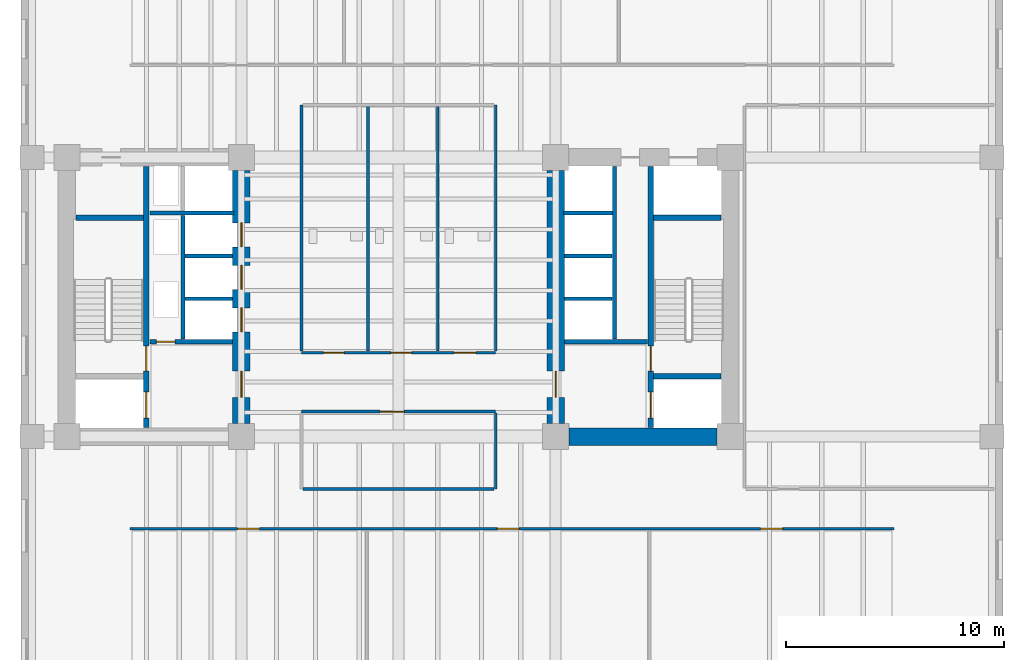
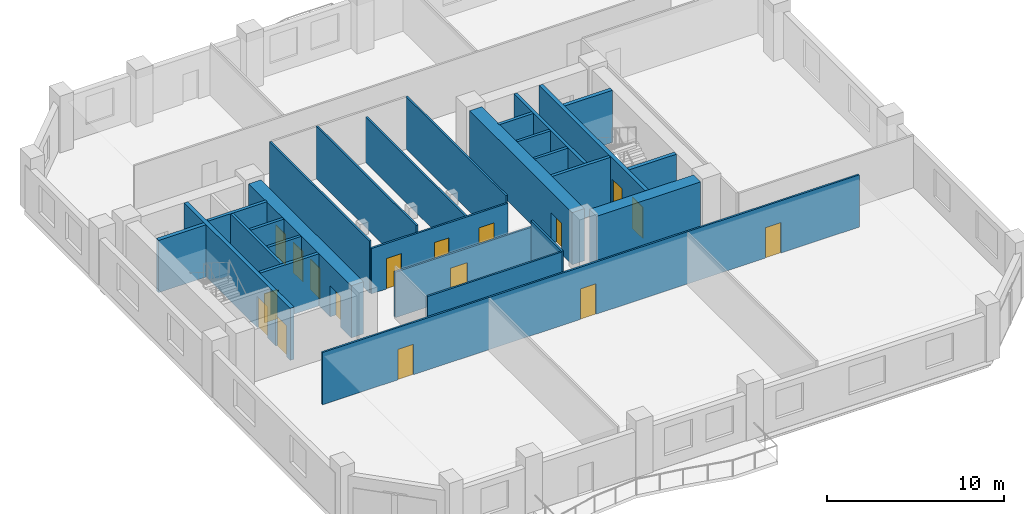
# One storey, part 3 of 9: 27 walls, 17 doors, 17 openings.
"""IFC4 building model written with IfcOpenShell, lengths in metres."""

from ifc_helpers import new_model, si_unit, direction, frame, frame_2d, origin, place, context, subcontext, project, spatial, rectangle, extrude, material, layer, layer_set, type_object, element, fill, save


model = new_model("IFC4")

# Units and contexts
model_context = context("Model", 3, precision=1e-05, world=origin(), true_north=direction((0.0, 1.0)))
body_context = subcontext(model_context, "Body", "Model", "MODEL_VIEW")
ifc_project = project(units=[si_unit("LENGTHUNIT", "METRE"), si_unit("AREAUNIT", "SQUARE_METRE"), si_unit("VOLUMEUNIT", "CUBIC_METRE"), si_unit("PLANEANGLEUNIT", "RADIAN"), si_unit("MASSUNIT", "GRAM", prefix="KILO")], contexts=[model_context])

# Site, building, storey
site_placement = place(None, origin())
site = spatial("IfcSite", under=ifc_project, at=site_placement, CompositionType="ELEMENT")
building_placement = place(site_placement, origin())
building = spatial("IfcBuilding", under=site, at=building_placement, Name="Kranthara Brick Stack", CompositionType="ELEMENT")
storey_placement = place(building_placement, frame((0.0, 0.0, 55.5)))
storey = spatial("IfcBuildingStorey", under=building, at=storey_placement, Name="L13", CompositionType="ELEMENT", Elevation=55.5)

# Wall, openings, doors
ifc_material_1 = material(Name="Concrete C50/60", Category="concrete")
ifc_layer_1 = layer(ifc_material_1, 0.25)
ifc_layer_set_1 = layer_set([ifc_layer_1], Name="Concrete C50/60")
wall_type_1 = type_object("IfcWallType", Name="WL-CORE-250", PredefinedType="SHEAR", material=ifc_layer_set_1)
wall_1_placement = place(storey_placement, frame((16.43505859375, 21.2099609375, 0.0), z_axis=(0.0, 0.0, 1.0), x_axis=(0.0, 1.0, 0.0)))
wall_1 = element("IfcWall", 1, at=wall_1_placement, inside=storey, type_object=wall_type_1, Name="L13 West Core Stair Bearing Spine Wall", PredefinedType="SHEAR", context=body_context, shape_type="SweptSolid", body=[
    extrude(rectangle(XDim=11.97998046875, YDim=0.25, at=frame_2d((5.989990234375, 0.0))), origin(), (0.0, 0.0, 1.0), 3.60009765625),
])
opening_1_placement = place(wall_1_placement, frame((0.43994140625, 0.0, 0.0)))
opening_1 = element("IfcOpeningElement", 2, at=opening_1_placement, cuts=wall_1, Name="Opening LD01", PredefinedType="OPENING", context=body_context, shape_type="SweptSolid", body=[
    extrude(rectangle(XDim=1.199951171875, YDim=2.14990234375, at=frame_2d((0.60009765625, 1.074951171875))), frame((0.0, 0.135009765625, 0.0), z_axis=(0.0, -1.0, 0.0), x_axis=(1.0, 0.0, 0.0)), (0.0, 0.0, 1.0), 0.27001953125),
])
opening_2_placement = place(wall_1_placement, frame((2.590087890625, 0.0, 0.0)))
opening_2 = element("IfcOpeningElement", 3, at=opening_2_placement, cuts=wall_1, Name="Opening D05", PredefinedType="OPENING", context=body_context, shape_type="SweptSolid", body=[
    extrude(rectangle(XDim=1.14990234375, YDim=2.14990234375, at=frame_2d((0.574951171875, 1.074951171875))), frame((0.0, 0.135009765625, 0.0), z_axis=(0.0, -1.0, 0.0), x_axis=(1.0, 0.0, 0.0)), (0.0, 0.0, 1.0), 0.27001953125),
])
ifc_material_2 = material(Name="Stainless steel sliding landing door", Category="steel")
door_type_1 = type_object("IfcDoorType", Name="DR-LD-FF1200", OperationType="DOUBLE_DOOR_SLIDING", PredefinedType="DOOR", material=ifc_material_2)
door_1_placement = place(opening_1_placement, origin())
door_1 = element("IfcDoor", 4, at=door_1_placement, inside=storey, type_object=door_type_1, Name="L13 Firefighting Lift FF-01 Landing Door", OperationType="DOUBLE_DOOR_SLIDING", OverallHeight=2.14990234375, OverallWidth=1.199951171875, PredefinedType="DOOR", context=body_context, shape_type="SweptSolid", body=[
    extrude(rectangle(XDim=1.199951171875, YDim=2.14990234375, at=frame_2d((0.60009765625, 1.074951171875))), frame((0.0, 0.02490234375, 0.0), z_axis=(0.0, -1.0, 0.0), x_axis=(1.0, 0.0, 0.0)), (0.0, 0.0, 1.0), 0.050048828125),
])
fill(opening_1, door_1)
ifc_material_3 = material(Name="Solid-core hardwood timber leaf in steel frame", Category="steel")
door_type_2 = type_object("IfcDoorType", Name="DR-ST-1150", OperationType="NOTDEFINED", PredefinedType="DOOR", material=ifc_material_3)
door_2_placement = place(opening_2_placement, origin())
door_2 = element("IfcDoor", 5, at=door_2_placement, inside=storey, type_object=door_type_2, Name="L13 Exit Stair ST01 Door", OperationType="SINGLE_SWING_RIGHT", OverallHeight=2.14990234375, OverallWidth=1.14990234375, PredefinedType="DOOR", context=body_context, shape_type="SweptSolid", body=[
    extrude(rectangle(XDim=1.14990234375, YDim=2.14990234375, at=frame_2d((0.574951171875, 1.074951171875))), frame((0.0, 0.02490234375, 0.0), z_axis=(0.0, -1.0, 0.0), x_axis=(1.0, 0.0, 0.0)), (0.0, 0.0, 1.0), 0.050048828125),
])
fill(opening_2, door_2)

# Wall
wall_2_placement = place(storey_placement, frame((13.2099609375, 30.830078125, 0.0), z_axis=(0.0, 0.0, 1.0), x_axis=(1.0, 0.0, 0.0)))
element("IfcWall", 6, at=wall_2_placement, inside=storey, type_object=wall_type_1, Name="L13 West Stairwell Bearing Wall WST", PredefinedType="SHEAR", context=body_context, shape_type="SweptSolid", body=[
    extrude(rectangle(XDim=3.10009765625, YDim=0.25, at=frame_2d((1.550048828125, 0.0))), origin(), (0.0, 0.0, 1.0), 3.60009765625),
])

# Wall, openings, doors
wall_3_placement = place(storey_placement, frame((39.56494140625, 21.2099609375, 0.0), z_axis=(0.0, 0.0, 1.0), x_axis=(0.0, 1.0, 0.0)))
wall_3 = element("IfcWall", 7, at=wall_3_placement, inside=storey, type_object=wall_type_1, Name="L13 East Core Stair Bearing Spine Wall", PredefinedType="SHEAR", context=body_context, shape_type="SweptSolid", body=[
    extrude(rectangle(XDim=11.97998046875, YDim=0.25, at=frame_2d((5.989990234375, 0.0))), origin(), (0.0, 0.0, 1.0), 3.60009765625),
])
opening_3_placement = place(wall_3_placement, frame((0.43994140625, 0.0, 0.0)))
opening_3 = element("IfcOpeningElement", 8, at=opening_3_placement, cuts=wall_3, Name="Opening LD01", PredefinedType="OPENING", context=body_context, shape_type="SweptSolid", body=[
    extrude(rectangle(XDim=1.199951171875, YDim=2.14990234375, at=frame_2d((0.60009765625, 1.074951171875))), frame((0.0, 0.135009765625, 0.0), z_axis=(0.0, -1.0, 0.0), x_axis=(1.0, 0.0, 0.0)), (0.0, 0.0, 1.0), 0.27001953125),
])
opening_4_placement = place(wall_3_placement, frame((2.590087890625, 0.0, 0.0)))
opening_4 = element("IfcOpeningElement", 9, at=opening_4_placement, cuts=wall_3, Name="Opening D05", PredefinedType="OPENING", context=body_context, shape_type="SweptSolid", body=[
    extrude(rectangle(XDim=1.14990234375, YDim=2.14990234375, at=frame_2d((0.574951171875, 1.074951171875))), frame((0.0, 0.135009765625, 0.0), z_axis=(0.0, -1.0, 0.0), x_axis=(1.0, 0.0, 0.0)), (0.0, 0.0, 1.0), 0.27001953125),
])
door_3_placement = place(opening_3_placement, origin())
door_3 = element("IfcDoor", 10, at=door_3_placement, inside=storey, type_object=door_type_1, Name="L13 Firefighting Lift FF-02 Landing Door", OperationType="DOUBLE_DOOR_SLIDING", OverallHeight=2.14990234375, OverallWidth=1.199951171875, PredefinedType="DOOR", context=body_context, shape_type="SweptSolid", body=[
    extrude(rectangle(XDim=1.199951171875, YDim=2.14990234375, at=frame_2d((0.60009765625, 1.074951171875))), frame((0.0, 0.02490234375, 0.0), z_axis=(0.0, -1.0, 0.0), x_axis=(1.0, 0.0, 0.0)), (0.0, 0.0, 1.0), 0.050048828125),
])
fill(opening_3, door_3)
door_4_placement = place(opening_4_placement, origin())
door_4 = element("IfcDoor", 11, at=door_4_placement, inside=storey, type_object=door_type_2, Name="L13 Exit Stair ST02 Door", OperationType="SINGLE_SWING_LEFT", OverallHeight=2.14990234375, OverallWidth=1.14990234375, PredefinedType="DOOR", context=body_context, shape_type="SweptSolid", body=[
    extrude(rectangle(XDim=1.14990234375, YDim=2.14990234375, at=frame_2d((0.574951171875, 1.074951171875))), frame((0.0, 0.02490234375, 0.0), z_axis=(0.0, -1.0, 0.0), x_axis=(1.0, 0.0, 0.0)), (0.0, 0.0, 1.0), 0.050048828125),
])
fill(opening_4, door_4)

# Walls
for number, where, z_axis, x_axis, name in (
    (12, (39.68994140625, 23.570068359375, 0.0), (0.0, 0.0, 1.0), (1.0, 0.0, 0.0), "L13 East Stairwell Bearing Wall EFF"),
    (13, (39.68994140625, 30.830078125, 0.0), (0.0, 0.0, 1.0), (1.0, 0.0, 0.0), "L13 East Stairwell Bearing Wall EST"),
):
    element("IfcWall", number, at=place(storey_placement, frame(where, z_axis=z_axis, x_axis=x_axis)), inside=storey, type_object=wall_type_1, Name=name, PredefinedType="SHEAR", context=body_context, shape_type="SweptSolid", body=[
        extrude(rectangle(XDim=3.10009765625, YDim=0.25, at=frame_2d((1.550048828125, 0.0))), origin(), (0.0, 0.0, 1.0), 3.60009765625),
    ])

# Wall, openings, doors
ifc_material_4 = material(Name="Concrete C70/85", Category="concrete")
ifc_layer_2 = layer(ifc_material_4, 0.800048828125)
ifc_layer_set_2 = layer_set([ifc_layer_2], Name="Concrete C70/85")
wall_type_2 = type_object("IfcWallType", Name="WL-CORE-800", PredefinedType="SHEAR", material=ifc_layer_set_2)
wall_4_placement = place(storey_placement, frame((20.800048828125, 21.405029296875, 0.0), z_axis=(0.0, 0.0, 1.0), x_axis=(0.0, 1.0, 0.0)))
wall_4 = element("IfcWall", 14, at=wall_4_placement, inside=storey, type_object=wall_type_2, Name="L13 West Core Shear Wall East", PredefinedType="SHEAR", context=body_context, shape_type="SweptSolid", body=[
    extrude(rectangle(XDim=11.590087890625, YDim=0.800048828125, at=frame_2d((5.794921875, 0.0))), origin(), (0.0, 0.0, 1.0), 3.60009765625),
])
opening_5_placement = place(wall_4_placement, frame((1.195068359375, 0.0, 0.0)))
opening_5 = element("IfcOpeningElement", 15, at=opening_5_placement, cuts=wall_4, Name="Opening D06", PredefinedType="OPENING", context=body_context, shape_type="SweptSolid", body=[
    extrude(rectangle(XDim=1.199951171875, YDim=2.14990234375, at=frame_2d((0.60009765625, 1.074951171875))), frame((0.0, 0.409912109375, 0.0), z_axis=(0.0, -1.0, 0.0), x_axis=(1.0, 0.0, 0.0)), (0.0, 0.0, 1.0), 0.820068359375),
])
opening_6_placement = place(wall_4_placement, frame((4.195068359375, 0.0, 0.0)))
opening_6 = element("IfcOpeningElement", 16, at=opening_6_placement, cuts=wall_4, Name="Opening LD02", PredefinedType="OPENING", context=body_context, shape_type="SweptSolid", body=[
    extrude(rectangle(XDim=1.10009765625, YDim=2.10009765625, at=frame_2d((0.550048828125, 1.050048828125))), frame((0.0, 0.409912109375, 0.0), z_axis=(0.0, -1.0, 0.0), x_axis=(1.0, 0.0, 0.0)), (0.0, 0.0, 1.0), 0.820068359375),
])
opening_7_placement = place(wall_4_placement, frame((6.14501953125, 0.0, 0.0)))
opening_7 = element("IfcOpeningElement", 17, at=opening_7_placement, cuts=wall_4, Name="Opening LD02", PredefinedType="OPENING", context=body_context, shape_type="SweptSolid", body=[
    extrude(rectangle(XDim=1.10009765625, YDim=2.10009765625, at=frame_2d((0.550048828125, 1.050048828125))), frame((0.0, 0.409912109375, 0.0), z_axis=(0.0, -1.0, 0.0), x_axis=(1.0, 0.0, 0.0)), (0.0, 0.0, 1.0), 0.820068359375),
])
opening_8_placement = place(wall_4_placement, frame((8.094970703125, 0.0, 0.0)))
opening_8 = element("IfcOpeningElement", 18, at=opening_8_placement, cuts=wall_4, Name="Opening LD02", PredefinedType="OPENING", context=body_context, shape_type="SweptSolid", body=[
    extrude(rectangle(XDim=1.10009765625, YDim=2.10009765625, at=frame_2d((0.550048828125, 1.050048828125))), frame((0.0, 0.409912109375, 0.0), z_axis=(0.0, -1.0, 0.0), x_axis=(1.0, 0.0, 0.0)), (0.0, 0.0, 1.0), 0.820068359375),
])
ifc_material_5 = material(Name="Solid-core hardwood timber leaf in steel frame", Category="steel")
door_type_3 = type_object("IfcDoorType", Name="DR-FFL-1200", OperationType="NOTDEFINED", PredefinedType="DOOR", material=ifc_material_5)
door_5_placement = place(opening_5_placement, origin())
door_5 = element("IfcDoor", 19, at=door_5_placement, inside=storey, type_object=door_type_3, Name="L13 West Firefighting Lobby Door", OperationType="SINGLE_SWING_LEFT", OverallHeight=2.14990234375, OverallWidth=1.199951171875, PredefinedType="DOOR", context=body_context, shape_type="SweptSolid", body=[
    extrude(rectangle(XDim=1.199951171875, YDim=2.14990234375, at=frame_2d((0.60009765625, 1.074951171875))), frame((0.0, 0.02490234375, 0.0), z_axis=(0.0, -1.0, 0.0), x_axis=(1.0, 0.0, 0.0)), (0.0, 0.0, 1.0), 0.050048828125),
])
fill(opening_5, door_5)
ifc_material_6 = material(Name="Stainless steel sliding landing door", Category="steel")
door_type_4 = type_object("IfcDoorType", Name="DR-LD-PL1100", OperationType="DOUBLE_DOOR_SLIDING", PredefinedType="DOOR", material=ifc_material_6)
door_6_placement = place(opening_6_placement, origin())
door_6 = element("IfcDoor", 20, at=door_6_placement, inside=storey, type_object=door_type_4, Name="L13 PL-01 Lift Landing Door", OperationType="DOUBLE_DOOR_SLIDING", OverallHeight=2.10009765625, OverallWidth=1.10009765625, PredefinedType="DOOR", context=body_context, shape_type="SweptSolid", body=[
    extrude(rectangle(XDim=1.10009765625, YDim=2.10009765625, at=frame_2d((0.550048828125, 1.050048828125))), frame((0.0, 0.02490234375, 0.0), z_axis=(0.0, -1.0, 0.0), x_axis=(1.0, 0.0, 0.0)), (0.0, 0.0, 1.0), 0.050048828125),
])
fill(opening_6, door_6)
door_7_placement = place(opening_7_placement, origin())
door_7 = element("IfcDoor", 21, at=door_7_placement, inside=storey, type_object=door_type_4, Name="L13 PL-02 Lift Landing Door", OperationType="DOUBLE_DOOR_SLIDING", OverallHeight=2.10009765625, OverallWidth=1.10009765625, PredefinedType="DOOR", context=body_context, shape_type="SweptSolid", body=[
    extrude(rectangle(XDim=1.10009765625, YDim=2.10009765625, at=frame_2d((0.550048828125, 1.050048828125))), frame((0.0, 0.02490234375, 0.0), z_axis=(0.0, -1.0, 0.0), x_axis=(1.0, 0.0, 0.0)), (0.0, 0.0, 1.0), 0.050048828125),
])
fill(opening_7, door_7)
door_8_placement = place(opening_8_placement, origin())
door_8 = element("IfcDoor", 22, at=door_8_placement, inside=storey, type_object=door_type_4, Name="L13 PL-03 Lift Landing Door", OperationType="DOUBLE_DOOR_SLIDING", OverallHeight=2.10009765625, OverallWidth=1.10009765625, PredefinedType="DOOR", context=body_context, shape_type="SweptSolid", body=[
    extrude(rectangle(XDim=1.10009765625, YDim=2.10009765625, at=frame_2d((0.550048828125, 1.050048828125))), frame((0.0, 0.02490234375, 0.0), z_axis=(0.0, -1.0, 0.0), x_axis=(1.0, 0.0, 0.0)), (0.0, 0.0, 1.0), 0.050048828125),
])
fill(opening_8, door_8)

# Wall
wall_5_placement = place(storey_placement, frame((35.804931640625, 20.800048828125, 0.0), z_axis=(0.0, 0.0, 1.0), x_axis=(1.0, 0.0, 0.0)))
element("IfcWall", 23, at=wall_5_placement, inside=storey, type_object=wall_type_2, Name="L13 East Core Shear Wall South", PredefinedType="SHEAR", context=body_context, shape_type="SweptSolid", body=[
    extrude(rectangle(XDim=6.7900390625, YDim=0.800048828125, at=frame_2d((3.39501953125, 0.0))), origin(), (0.0, 0.0, 1.0), 3.60009765625),
])

# Wall, opening, door
wall_6_placement = place(storey_placement, frame((35.199951171875, 21.405029296875, 0.0), z_axis=(0.0, 0.0, 1.0), x_axis=(0.0, 1.0, 0.0)))
wall_6 = element("IfcWall", 24, at=wall_6_placement, inside=storey, type_object=wall_type_2, Name="L13 East Core Shear Wall West", PredefinedType="SHEAR", context=body_context, shape_type="SweptSolid", body=[
    extrude(rectangle(XDim=11.590087890625, YDim=0.800048828125, at=frame_2d((5.794921875, 0.0))), origin(), (0.0, 0.0, 1.0), 3.60009765625),
])
opening_9_placement = place(wall_6_placement, frame((1.195068359375, 0.0, 0.0)))
opening_9 = element("IfcOpeningElement", 25, at=opening_9_placement, cuts=wall_6, Name="Opening D06", PredefinedType="OPENING", context=body_context, shape_type="SweptSolid", body=[
    extrude(rectangle(XDim=1.199951171875, YDim=2.14990234375, at=frame_2d((0.60009765625, 1.074951171875))), frame((0.0, 0.409912109375, 0.0), z_axis=(0.0, -1.0, 0.0), x_axis=(1.0, 0.0, 0.0)), (0.0, 0.0, 1.0), 0.820068359375),
])
door_9_placement = place(opening_9_placement, origin())
door_9 = element("IfcDoor", 26, at=door_9_placement, inside=storey, type_object=door_type_3, Name="L13 East Firefighting Lobby Door", OperationType="SINGLE_SWING_RIGHT", OverallHeight=2.14990234375, OverallWidth=1.199951171875, PredefinedType="DOOR", context=body_context, shape_type="SweptSolid", body=[
    extrude(rectangle(XDim=1.199951171875, YDim=2.14990234375, at=frame_2d((0.60009765625, 1.074951171875))), frame((0.0, 0.02490234375, 0.0), z_axis=(0.0, -1.0, 0.0), x_axis=(1.0, 0.0, 0.0)), (0.0, 0.0, 1.0), 0.050048828125),
])
fill(opening_9, door_9)

# Wall, openings, doors
ifc_material_7 = material(Name="Acoustic gypsum plasterboard partition", Category="other")
ifc_layer_3 = layer(ifc_material_7, 0.1201171875)
ifc_layer_set_3 = layer_set([ifc_layer_3], Name="Acoustic gypsum plasterboard partition")
wall_type_3 = type_object("IfcWallType", Name="WL-PART-120", PredefinedType="PARTITIONING", material=ifc_layer_set_3)
wall_7_placement = place(storey_placement, frame((23.550048828125, 24.64990234375, 0.0), z_axis=(0.0, 0.0, 1.0), x_axis=(1.0, 0.0, 0.0)))
wall_7 = element("IfcWall", 27, at=wall_7_placement, inside=storey, type_object=wall_type_3, Name="L13 Interior Partition 001", PredefinedType="PARTITIONING", context=body_context, shape_type="SweptSolid", body=[
    extrude(rectangle(XDim=8.89990234375, YDim=0.1201171875, at=frame_2d((4.449951171875, 0.0))), origin(), (0.0, 0.0, 1.0), 3.135009765625),
])
opening_10_placement = place(wall_7_placement, frame((1.0, 0.0, 0.0)))
opening_10 = element("IfcOpeningElement", 28, at=opening_10_placement, cuts=wall_7, Name="Opening D14", PredefinedType="OPENING", context=body_context, shape_type="SweptSolid", body=[
    extrude(rectangle(XDim=0.949951171875, YDim=2.10009765625, at=frame_2d((0.47509765625, 1.050048828125))), frame((0.0, 0.070068359375, 0.0), z_axis=(0.0, -1.0, 0.0), x_axis=(1.0, 0.0, 0.0)), (0.0, 0.0, 1.0), 0.14013671875),
])
opening_11_placement = place(wall_7_placement, frame((4.10009765625, 0.0, 0.0)))
opening_11 = element("IfcOpeningElement", 29, at=opening_11_placement, cuts=wall_7, Name="Opening D14", PredefinedType="OPENING", context=body_context, shape_type="SweptSolid", body=[
    extrude(rectangle(XDim=0.949951171875, YDim=2.10009765625, at=frame_2d((0.47509765625, 1.050048828125))), frame((0.0, 0.070068359375, 0.0), z_axis=(0.0, -1.0, 0.0), x_axis=(1.0, 0.0, 0.0)), (0.0, 0.0, 1.0), 0.14013671875),
])
opening_12_placement = place(wall_7_placement, frame((7.0, 0.0, 0.0)))
opening_12 = element("IfcOpeningElement", 30, at=opening_12_placement, cuts=wall_7, Name="Opening D18", PredefinedType="OPENING", context=body_context, shape_type="SweptSolid", body=[
    extrude(rectangle(XDim=1.0, YDim=2.10009765625, at=frame_2d((0.5, 1.050048828125))), frame((0.0, 0.070068359375, 0.0), z_axis=(0.0, -1.0, 0.0), x_axis=(1.0, 0.0, 0.0)), (0.0, 0.0, 1.0), 0.14013671875),
])
ifc_material_8 = material(Name="Solid-core hardwood timber leaf in steel frame", Category="steel")
door_type_5 = type_object("IfcDoorType", Name="DR-ACC-1000", OperationType="NOTDEFINED", PredefinedType="DOOR", material=ifc_material_8)
door_10_placement = place(opening_12_placement, origin())
door_10 = element("IfcDoor", 31, at=door_10_placement, inside=storey, type_object=door_type_5, Name="L13 Accessible WC Door 03", OperationType="SINGLE_SWING_LEFT", OverallHeight=2.10009765625, OverallWidth=1.0, PredefinedType="DOOR", context=body_context, shape_type="SweptSolid", body=[
    extrude(rectangle(XDim=1.0, YDim=2.10009765625, at=frame_2d((0.5, 1.050048828125))), frame((0.0, 0.02490234375, 0.0), z_axis=(0.0, -1.0, 0.0), x_axis=(1.0, 0.0, 0.0)), (0.0, 0.0, 1.0), 0.050048828125),
])
fill(opening_12, door_10)
ifc_material_9 = material(Name="Solid-core hardwood timber leaf in steel frame", Category="steel")
door_type_6 = type_object("IfcDoorType", Name="DR-INT-950", OperationType="NOTDEFINED", PredefinedType="DOOR", material=ifc_material_9)
door_11_placement = place(opening_10_placement, origin())
door_11 = element("IfcDoor", 32, at=door_11_placement, inside=storey, type_object=door_type_6, Name="L13 Male WC Door 01", OperationType="SINGLE_SWING_LEFT", OverallHeight=2.10009765625, OverallWidth=0.949951171875, PredefinedType="DOOR", context=body_context, shape_type="SweptSolid", body=[
    extrude(rectangle(XDim=0.949951171875, YDim=2.10009765625, at=frame_2d((0.47509765625, 1.050048828125))), frame((0.0, 0.02490234375, 0.0), z_axis=(0.0, -1.0, 0.0), x_axis=(1.0, 0.0, 0.0)), (0.0, 0.0, 1.0), 0.050048828125),
])
fill(opening_10, door_11)
door_12_placement = place(opening_11_placement, origin())
door_12 = element("IfcDoor", 33, at=door_12_placement, inside=storey, type_object=door_type_6, Name="L13 Female WC Door 02", OperationType="SINGLE_SWING_RIGHT", OverallHeight=2.10009765625, OverallWidth=0.949951171875, PredefinedType="DOOR", context=body_context, shape_type="SweptSolid", body=[
    extrude(rectangle(XDim=0.949951171875, YDim=2.10009765625, at=frame_2d((0.47509765625, 1.050048828125))), frame((0.0, 0.02490234375, 0.0), z_axis=(0.0, -1.0, 0.0), x_axis=(1.0, 0.0, 0.0)), (0.0, 0.0, 1.0), 0.050048828125),
])
fill(opening_11, door_12)

# Walls
for number, where, z_axis, x_axis, name in (
    (34, (23.550048828125, 24.715087890625, 0.0), (0.0, 0.0, 1.0), (0.0, 1.0, 0.0), "L13 Interior Partition 002"),
    (35, (32.449951171875, 24.715087890625, 0.0), (0.0, 0.0, 1.0), (0.0, 1.0, 0.0), "L13 Interior Partition 003"),
    (36, (26.60009765625, 24.715087890625, 0.0), (0.0, 0.0, 1.0), (0.0, 1.0, 0.0), "L13 Interior Partition 004"),
):
    element("IfcWall", number, at=place(storey_placement, frame(where, z_axis=z_axis, x_axis=x_axis)), inside=storey, type_object=wall_type_3, Name=name, PredefinedType="PARTITIONING", context=body_context, shape_type="SweptSolid", body=[
        extrude(rectangle(XDim=11.284912109375, YDim=0.1201171875, at=frame_2d((5.642578125, 0.0))), origin(), (0.0, 0.0, 1.0), 3.60009765625),
    ])
wall_8_placement = place(storey_placement, frame((29.800048828125, 24.715087890625, 0.0), z_axis=(0.0, 0.0, 1.0), x_axis=(0.0, 1.0, 0.0)))
element("IfcWall", 37, at=wall_8_placement, inside=storey, type_object=wall_type_3, Name="L13 Interior Partition 005", PredefinedType="PARTITIONING", context=body_context, shape_type="SweptSolid", body=[
    extrude(rectangle(XDim=11.284912109375, YDim=0.1201171875, at=frame_2d((5.642578125, 0.0))), origin(), (0.0, 0.0, 1.0), 3.135009765625),
])

# Wall, opening, door
wall_9_placement = place(storey_placement, frame((23.550048828125, 21.949951171875, 0.0), z_axis=(0.0, 0.0, 1.0), x_axis=(1.0, 0.0, 0.0)))
wall_9 = element("IfcWall", 38, at=wall_9_placement, inside=storey, type_object=wall_type_3, Name="L13 Interior Partition 007", PredefinedType="PARTITIONING", context=body_context, shape_type="SweptSolid", body=[
    extrude(rectangle(XDim=8.89990234375, YDim=0.1201171875, at=frame_2d((4.449951171875, 0.0))), origin(), (0.0, 0.0, 1.0), 3.135009765625),
])
opening_13_placement = place(wall_9_placement, frame((3.60009765625, 0.0, 0.0)))
opening_13 = element("IfcOpeningElement", 39, at=opening_13_placement, cuts=wall_9, Name="Opening D11", PredefinedType="OPENING", context=body_context, shape_type="SweptSolid", body=[
    extrude(rectangle(XDim=1.10009765625, YDim=2.14990234375, at=frame_2d((0.550048828125, 1.074951171875))), frame((0.0, 0.070068359375, 0.0), z_axis=(0.0, -1.0, 0.0), x_axis=(1.0, 0.0, 0.0)), (0.0, 0.0, 1.0), 0.14013671875),
])
ifc_material_10 = material(Name="Solid-core hardwood timber leaf in steel frame", Category="steel")
door_type_7 = type_object("IfcDoorType", Name="DR-INT-1100", OperationType="NOTDEFINED", PredefinedType="DOOR", material=ifc_material_10)
door_13_placement = place(opening_13_placement, origin())
door_13 = element("IfcDoor", 40, at=door_13_placement, inside=storey, type_object=door_type_7, Name="L13 Internal Briefing Room 04", OperationType="SINGLE_SWING_RIGHT", OverallHeight=2.14990234375, OverallWidth=1.10009765625, PredefinedType="DOOR", context=body_context, shape_type="SweptSolid", body=[
    extrude(rectangle(XDim=1.10009765625, YDim=2.14990234375, at=frame_2d((0.550048828125, 1.074951171875))), frame((0.0, 0.02490234375, 0.0), z_axis=(0.0, -1.0, 0.0), x_axis=(1.0, 0.0, 0.0)), (0.0, 0.0, 1.0), 0.050048828125),
])
fill(opening_13, door_13)

# Walls
wall_10_placement = place(storey_placement, frame((32.449951171875, 18.39990234375, 0.0), z_axis=(0.0, 0.0, 1.0), x_axis=(0.0, 1.0, 0.0)))
element("IfcWall", 41, at=wall_10_placement, inside=storey, type_object=wall_type_3, Name="L13 Interior Partition 009", PredefinedType="PARTITIONING", context=body_context, shape_type="SweptSolid", body=[
    extrude(rectangle(XDim=3.485107421875, YDim=0.1201171875, at=frame_2d((1.74267578125, 0.0))), origin(), (0.0, 0.0, 1.0), 3.60009765625),
])
wall_11_placement = place(storey_placement, frame((23.614990234375, 18.39990234375, 0.0), z_axis=(0.0, 0.0, 1.0), x_axis=(1.0, 0.0, 0.0)))
element("IfcWall", 42, at=wall_11_placement, inside=storey, type_object=wall_type_3, Name="L13 Interior Partition 010", PredefinedType="PARTITIONING", context=body_context, shape_type="SweptSolid", body=[
    extrude(rectangle(XDim=8.77001953125, YDim=0.1201171875, at=frame_2d((4.385009765625, 0.0))), origin(), (0.0, 0.0, 1.0), 3.60009765625),
])

# Wall, openings, doors
wall_12_placement = place(storey_placement, frame((15.699951171875, 16.580078125, 0.0), z_axis=(0.0, 0.0, 1.0), x_axis=(1.0, 0.0, 0.0)))
wall_12 = element("IfcWall", 43, at=wall_12_placement, inside=storey, type_object=wall_type_3, Name="L13 Interior Partition 011", PredefinedType="PARTITIONING", context=body_context, shape_type="SweptSolid", body=[
    extrude(rectangle(XDim=35.0, YDim=0.1201171875, at=frame_2d((17.5, 0.0))), origin(), (0.0, 0.0, 1.0), 3.60009765625),
])
opening_14_placement = place(wall_12_placement, frame((4.925048828125, 0.0, 0.0)))
opening_14 = element("IfcOpeningElement", 44, at=opening_14_placement, cuts=wall_12, Name="Opening D13", PredefinedType="OPENING", context=body_context, shape_type="SweptSolid", body=[
    extrude(rectangle(XDim=1.0, YDim=2.10009765625, at=frame_2d((0.5, 1.050048828125))), frame((0.0, 0.070068359375, 0.0), z_axis=(0.0, -1.0, 0.0), x_axis=(1.0, 0.0, 0.0)), (0.0, 0.0, 1.0), 0.14013671875),
])
opening_15_placement = place(wall_12_placement, frame((16.824951171875, 0.0, 0.0)))
opening_15 = element("IfcOpeningElement", 45, at=opening_15_placement, cuts=wall_12, Name="Opening D13", PredefinedType="OPENING", context=body_context, shape_type="SweptSolid", body=[
    extrude(rectangle(XDim=1.0, YDim=2.10009765625, at=frame_2d((0.5, 1.050048828125))), frame((0.0, 0.070068359375, 0.0), z_axis=(0.0, -1.0, 0.0), x_axis=(1.0, 0.0, 0.0)), (0.0, 0.0, 1.0), 0.14013671875),
])
opening_16_placement = place(wall_12_placement, frame((28.89990234375, 0.0, 0.0)))
opening_16 = element("IfcOpeningElement", 46, at=opening_16_placement, cuts=wall_12, Name="Opening D13", PredefinedType="OPENING", context=body_context, shape_type="SweptSolid", body=[
    extrude(rectangle(XDim=1.0, YDim=2.10009765625, at=frame_2d((0.5, 1.050048828125))), frame((0.0, 0.070068359375, 0.0), z_axis=(0.0, -1.0, 0.0), x_axis=(1.0, 0.0, 0.0)), (0.0, 0.0, 1.0), 0.14013671875),
])
ifc_material_11 = material(Name="Solid-core hardwood timber leaf in steel frame", Category="steel")
door_type_8 = type_object("IfcDoorType", Name="DR-INT-1000", OperationType="NOTDEFINED", PredefinedType="DOOR", material=ifc_material_11)
door_14_placement = place(opening_14_placement, origin())
door_14 = element("IfcDoor", 47, at=door_14_placement, inside=storey, type_object=door_type_8, Name="L13 Open Plan Workspace 05", OperationType="SINGLE_SWING_LEFT", OverallHeight=2.10009765625, OverallWidth=1.0, PredefinedType="DOOR", context=body_context, shape_type="SweptSolid", body=[
    extrude(rectangle(XDim=1.0, YDim=2.10009765625, at=frame_2d((0.5, 1.050048828125))), frame((0.0, 0.02490234375, 0.0), z_axis=(0.0, -1.0, 0.0), x_axis=(1.0, 0.0, 0.0)), (0.0, 0.0, 1.0), 0.050048828125),
])
fill(opening_14, door_14)
door_15_placement = place(opening_15_placement, origin())
door_15 = element("IfcDoor", 48, at=door_15_placement, inside=storey, type_object=door_type_8, Name="L13 Boardroom 06", OperationType="SINGLE_SWING_RIGHT", OverallHeight=2.10009765625, OverallWidth=1.0, PredefinedType="DOOR", context=body_context, shape_type="SweptSolid", body=[
    extrude(rectangle(XDim=1.0, YDim=2.10009765625, at=frame_2d((0.5, 1.050048828125))), frame((0.0, 0.02490234375, 0.0), z_axis=(0.0, -1.0, 0.0), x_axis=(1.0, 0.0, 0.0)), (0.0, 0.0, 1.0), 0.050048828125),
])
fill(opening_15, door_15)
door_16_placement = place(opening_16_placement, origin())
door_16 = element("IfcDoor", 49, at=door_16_placement, inside=storey, type_object=door_type_8, Name="L13 Staff Pantry 07", OperationType="SINGLE_SWING_LEFT", OverallHeight=2.10009765625, OverallWidth=1.0, PredefinedType="DOOR", context=body_context, shape_type="SweptSolid", body=[
    extrude(rectangle(XDim=1.0, YDim=2.10009765625, at=frame_2d((0.5, 1.050048828125))), frame((0.0, 0.02490234375, 0.0), z_axis=(0.0, -1.0, 0.0), x_axis=(1.0, 0.0, 0.0)), (0.0, 0.0, 1.0), 0.050048828125),
])
fill(opening_16, door_16)

# Walls
ifc_material_12 = material(Name="Gypsum plasterboard on acoustic twin stud", Category="other")
ifc_layer_4 = layer(ifc_material_12, 0.179931640625)
ifc_layer_set_4 = layer_set([ifc_layer_4], Name="Gypsum plasterboard on acoustic twin stud")
wall_type_4 = type_object("IfcWallType", Name="WL-PART-180", PredefinedType="PARTITIONING", material=ifc_layer_set_4)
wall_13_placement = place(storey_placement, frame((18.1201171875, 25.27001953125, 0.0), z_axis=(0.0, 0.0, 1.0), x_axis=(0.0, 1.0, 0.0)))
element("IfcWall", 50, at=wall_13_placement, inside=storey, type_object=wall_type_4, Name="L13 West Hoistway Wall WBK", PredefinedType="PARTITIONING", context=body_context, shape_type="SweptSolid", body=[
    extrude(rectangle(XDim=5.659912109375, YDim=0.179931640625, at=frame_2d((2.830078125, 0.0))), origin(), (0.0, 0.0, 1.0), 3.60009765625),
])
for number, where, z_axis, x_axis, name in (
    (51, (18.219970703125, 27.1201171875, 0.0), (0.0, 0.0, 1.0), (1.0, 0.0, 0.0), "L13 West Hoistway Wall WH1"),
    (52, (18.219970703125, 29.080078125, 0.0), (0.0, 0.0, 1.0), (1.0, 0.0, 0.0), "L13 West Hoistway Wall WH2"),
    (53, (35.610107421875, 27.1201171875, 0.0), (0.0, 0.0, 1.0), (1.0, 0.0, 0.0), "L13 East Hoistway Wall EH1"),
    (54, (35.610107421875, 29.080078125, 0.0), (0.0, 0.0, 1.0), (1.0, 0.0, 0.0), "L13 East Hoistway Wall EH2"),
):
    element("IfcWall", number, at=place(storey_placement, frame(where, z_axis=z_axis, x_axis=x_axis)), inside=storey, type_object=wall_type_4, Name=name, PredefinedType="PARTITIONING", context=body_context, shape_type="SweptSolid", body=[
        extrude(rectangle(XDim=2.169921875, YDim=0.179931640625, at=frame_2d((1.0849609375, 0.0))), origin(), (0.0, 0.0, 1.0), 3.60009765625),
    ])

# Wall, opening, door
ifc_material_13 = material(Name="Concrete C40/50", Category="concrete")
ifc_layer_5 = layer(ifc_material_13, 0.199951171875)
ifc_layer_set_5 = layer_set([ifc_layer_5], Name="Concrete C40/50")
wall_type_5 = type_object("IfcWallType", Name="WL-PART-200", PredefinedType="SOLIDWALL", material=ifc_layer_set_5)
wall_14_placement = place(storey_placement, frame((16.60009765625, 25.14990234375, 0.0), z_axis=(0.0, 0.0, 1.0), x_axis=(1.0, 0.0, 0.0)))
wall_14 = element("IfcWall", 55, at=wall_14_placement, inside=storey, type_object=wall_type_5, Name="L13 West Core Cross Wall WFL", PredefinedType="SOLIDWALL", context=body_context, shape_type="SweptSolid", body=[
    extrude(rectangle(XDim=3.789794921875, YDim=0.199951171875, at=frame_2d((1.89501953125, 0.0))), origin(), (0.0, 0.0, 1.0), 3.60009765625),
])
opening_17_placement = place(wall_14_placement, frame((0.300048828125, 0.0, 0.0)))
opening_17 = element("IfcOpeningElement", 56, at=opening_17_placement, cuts=wall_14, Name="Opening D10", PredefinedType="OPENING", context=body_context, shape_type="SweptSolid", body=[
    extrude(rectangle(XDim=0.85009765625, YDim=2.02001953125, at=frame_2d((0.425048828125, 1.010009765625))), frame((0.0, 0.10986328125, 0.0), z_axis=(0.0, -1.0, 0.0), x_axis=(1.0, 0.0, 0.0)), (0.0, 0.0, 1.0), 0.219970703125),
])
ifc_material_14 = material(Name="Solid-core hardwood timber leaf in steel frame", Category="steel")
door_type_9 = type_object("IfcDoorType", Name="DR-RSR-850", OperationType="NOTDEFINED", PredefinedType="DOOR", material=ifc_material_14)
door_17_placement = place(opening_17_placement, origin())
door_17 = element("IfcDoor", 57, at=door_17_placement, inside=storey, type_object=door_type_9, Name="L13 Mechanical Riser Access Door", OperationType="SINGLE_SWING_LEFT", OverallHeight=2.02001953125, OverallWidth=0.85009765625, PredefinedType="DOOR", context=body_context, shape_type="SweptSolid", body=[
    extrude(rectangle(XDim=0.85009765625, YDim=2.02001953125, at=frame_2d((0.425048828125, 1.010009765625))), frame((0.0, 0.02490234375, 0.0), z_axis=(0.0, -1.0, 0.0), x_axis=(1.0, 0.0, 0.0)), (0.0, 0.0, 1.0), 0.050048828125),
])
fill(opening_17, door_17)

# Walls
wall_15_placement = place(storey_placement, frame((16.60009765625, 31.050048828125, 0.0), z_axis=(0.0, 0.0, 1.0), x_axis=(1.0, 0.0, 0.0)))
element("IfcWall", 58, at=wall_15_placement, inside=storey, type_object=wall_type_5, Name="L13 West Core Cross Wall WH4", PredefinedType="SOLIDWALL", context=body_context, shape_type="SweptSolid", body=[
    extrude(rectangle(XDim=3.849853515625, YDim=0.199951171875, at=frame_2d((1.9248046875, 0.0))), origin(), (0.0, 0.0, 1.0), 3.60009765625),
])
wall_16_placement = place(storey_placement, frame((35.610107421875, 25.14990234375, 0.0), z_axis=(0.0, 0.0, 1.0), x_axis=(1.0, 0.0, 0.0)))
element("IfcWall", 59, at=wall_16_placement, inside=storey, type_object=wall_type_5, Name="L13 East Core Cross Wall EFL", PredefinedType="SOLIDWALL", context=body_context, shape_type="SweptSolid", body=[
    extrude(rectangle(XDim=3.789794921875, YDim=0.199951171875, at=frame_2d((1.89501953125, 0.0))), origin(), (0.0, 0.0, 1.0), 3.60009765625),
])
wall_17_placement = place(storey_placement, frame((35.550048828125, 31.050048828125, 0.0), z_axis=(0.0, 0.0, 1.0), x_axis=(1.0, 0.0, 0.0)))
element("IfcWall", 60, at=wall_17_placement, inside=storey, type_object=wall_type_5, Name="L13 East Core Cross Wall EE4", PredefinedType="SOLIDWALL", context=body_context, shape_type="SweptSolid", body=[
    extrude(rectangle(XDim=2.25, YDim=0.199951171875, at=frame_2d((1.125, 0.0))), origin(), (0.0, 0.0, 1.0), 3.60009765625),
])
wall_18_placement = place(storey_placement, frame((37.89990234375, 25.27001953125, 0.0), z_axis=(0.0, 0.0, 1.0), x_axis=(0.0, 1.0, 0.0)))
element("IfcWall", 61, at=wall_18_placement, inside=storey, type_object=wall_type_5, Name="L13 East Core Cross Wall ESV", PredefinedType="SOLIDWALL", context=body_context, shape_type="SweptSolid", body=[
    extrude(rectangle(XDim=7.919921875, YDim=0.199951171875, at=frame_2d((3.9599609375, 0.0))), origin(), (0.0, 0.0, 1.0), 3.60009765625),
])

save(model, "model.ifc")
